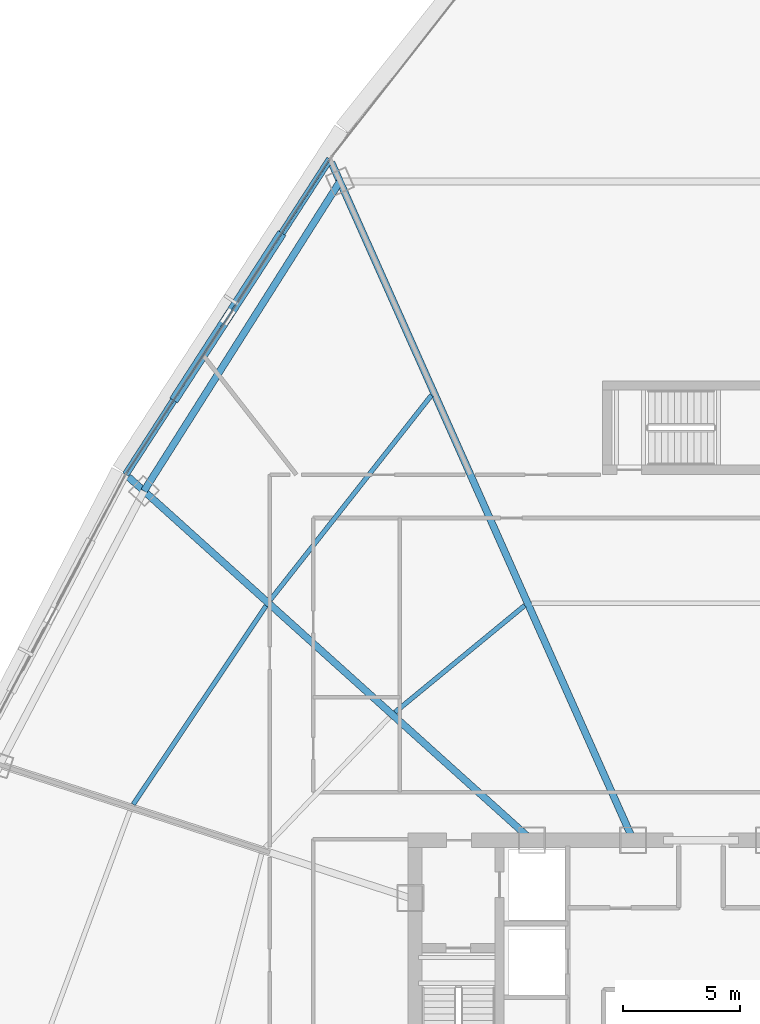
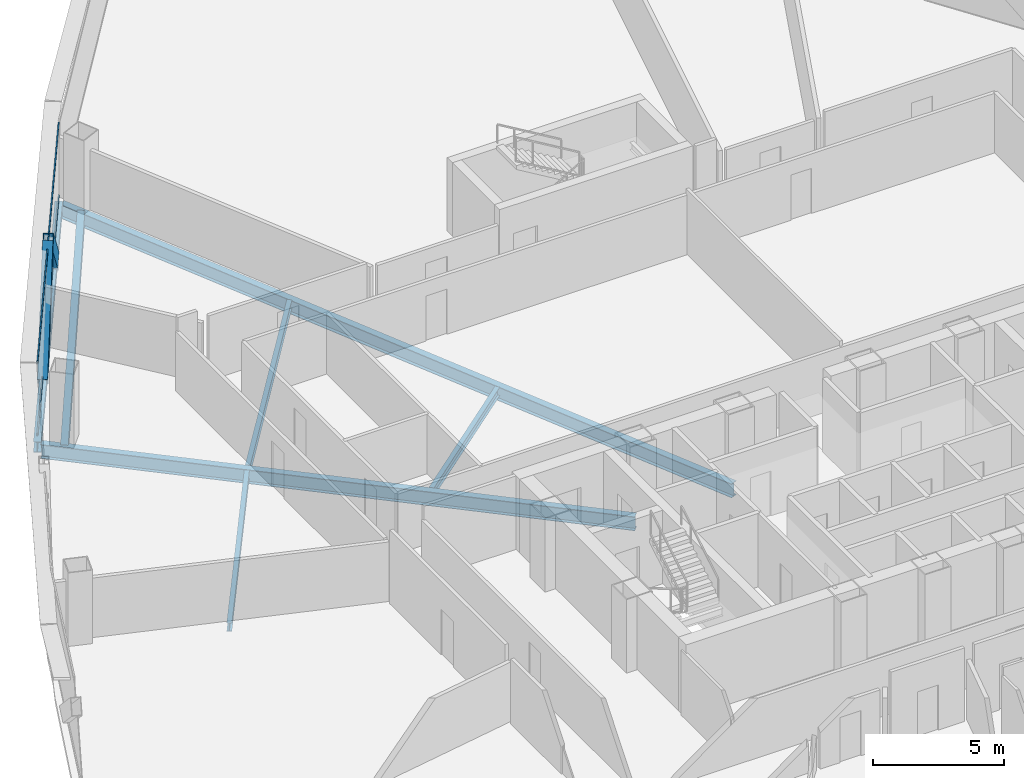
# One storey, part 17 of 39: 7 beams, 4 members, 1 element without a shape of its own.
"""IFC4 building model written with IfcOpenShell, lengths in metres."""

from ifc_helpers import new_model, si_unit, direction, frame, origin, origin_2d, place, context, subcontext, project, spatial, hollow_rectangle, i_section, extrude, source, transform, mapped, material, layer, layer_set, material_profile, profile_set, type_object, element, aggregate, save


model = new_model("IFC4")

# Units and contexts
model_context = context("Model", 3, precision=1e-05, world=origin(), true_north=direction((0.0, 1.0)))
body_context = subcontext(model_context, "Body", "Model", "MODEL_VIEW")
ifc_project = project(units=[si_unit("LENGTHUNIT", "METRE"), si_unit("AREAUNIT", "SQUARE_METRE"), si_unit("VOLUMEUNIT", "CUBIC_METRE"), si_unit("PLANEANGLEUNIT", "RADIAN"), si_unit("MASSUNIT", "GRAM", prefix="KILO"), si_unit("THERMODYNAMICTEMPERATUREUNIT", "KELVIN"), si_unit("POWERUNIT", "WATT")], contexts=[model_context])

# Site, building, storey
site_placement = place(None, origin())
site = spatial("IfcSite", under=ifc_project, at=site_placement, CompositionType="ELEMENT")
building_placement = place(site_placement, origin())
building = spatial("IfcBuilding", under=site, at=building_placement, Name="Yunzhuo Pagoda Commons", CompositionType="ELEMENT")
storey_placement = place(building_placement, frame((0.0, 0.0, 162.949951171875)))
storey = spatial("IfcBuildingStorey", under=building, at=storey_placement, Name="L41", CompositionType="ELEMENT", Elevation=162.949951171875)

# Beams
ifc_material_1 = material(Name="Structural steel Q355B", Category="steel")
ifc_material_profile_1 = material_profile(ifc_material_1, i_section(OverallWidth=0.199951171875, OverallDepth=0.39990234375, WebThickness=0.008056640625, FlangeThickness=0.012939453125, at=origin_2d()), Name="Structural steel Q355B")
ifc_profile_set_1 = profile_set([ifc_material_profile_1], Name="Structural steel Q355B")
beam_type_1 = type_object("IfcBeamType", Name="B-JS1 Joist HN 400x200x8x13", PredefinedType="JOIST", material=ifc_profile_set_1)
shared_shape_1 = source(origin(), body_context, "Body", "SweptSolid", [
    extrude(i_section(OverallWidth=0.199951171875, OverallDepth=0.39990234375, WebThickness=0.008056640625, FlangeThickness=0.012939453125, at=origin_2d()), origin(), (0.0, 0.0, 1.0), 10.186767578125),
])
beam_1_placement = place(storey_placement, frame((29.440673828125, 50.19921875, -0.4599609375), z_axis=(-0.555872145938, -0.831267801235, 0.0), x_axis=(0.831267801235, -0.555872145938, 0.0)))
element("IfcBeam", 1, at=beam_1_placement, inside=storey, type_object=beam_type_1, Name="L41 composite ring joist 2.10", PredefinedType="JOIST", context=body_context, shape_type="MappedRepresentation", body=[
    mapped(shared_shape_1, transform((0.0, 0.0, 0.0), scale=1.0)),
])
ifc_material_profile_2 = material_profile(ifc_material_1, i_section(OverallWidth=0.300048828125, OverallDepth=0.64990234375, WebThickness=0.012939453125, FlangeThickness=0.02197265625, at=origin_2d()), Name="Structural steel Q355B")
ifc_profile_set_2 = profile_set([ifc_material_profile_2], Name="Structural steel Q355B")
beam_type_2 = type_object("IfcBeamType", Name="B-RG2 Beam HN 650x300x13x22", PredefinedType="BEAM", material=ifc_profile_set_2)
shared_shape_2 = source(origin(), body_context, "Body", "SweptSolid", [
    extrude(i_section(OverallWidth=0.300048828125, OverallDepth=0.64990234375, WebThickness=0.012939453125, FlangeThickness=0.02197265625, at=origin_2d()), origin(), (0.0, 0.0, 1.0), 15.627685546875),
])
beam_2_placement = place(storey_placement, frame((32.593994140625, 68.302734375, -0.5849609375), z_axis=(-0.534952471728, -0.844882153316, 0.0), x_axis=(0.844882153316, -0.534952471728, 0.0)))
element("IfcBeam", 2, at=beam_2_placement, inside=storey, type_object=beam_type_2, Name="L41 column-ring beam 9", PredefinedType="BEAM", context=body_context, shape_type="MappedRepresentation", body=[
    mapped(shared_shape_2, transform((0.0, 0.0, 0.0), scale=1.0)),
])
shared_shape_3 = source(origin(), body_context, "Body", "SweptSolid", [
    extrude(i_section(OverallWidth=0.199951171875, OverallDepth=0.39990234375, WebThickness=0.008056640625, FlangeThickness=0.012939453125, at=origin_2d()), origin(), (0.0, 0.0, 1.0), 7.163818359375),
])
beam_3_placement = place(storey_placement, frame((40.47900390625, 50.21630859375, -0.4599609375), z_axis=(-0.772234119563, -0.635338071095, 0.0), x_axis=(0.635338071095, -0.772234119563, 0.0)))
element("IfcBeam", 3, at=beam_3_placement, inside=storey, type_object=beam_type_1, Name="L41 composite ring joist 1.9", PredefinedType="JOIST", context=body_context, shape_type="MappedRepresentation", body=[
    mapped(shared_shape_3, transform((0.0, 0.0, 0.0), scale=1.0)),
])
shared_shape_4 = source(origin(), body_context, "Body", "SweptSolid", [
    extrude(i_section(OverallWidth=0.199951171875, OverallDepth=0.39990234375, WebThickness=0.008056640625, FlangeThickness=0.012939453125, at=origin_2d()), origin(), (0.0, 0.0, 1.0), 11.109375),
])
beam_4_placement = place(storey_placement, frame((36.49951171875, 59.18505859375, -0.4599609375), z_axis=(-0.618600596935, -0.785705607382, 0.0), x_axis=(0.785705607382, -0.618600596935, 0.0)))
element("IfcBeam", 4, at=beam_4_placement, inside=storey, type_object=beam_type_1, Name="L41 composite ring joist 2.9", PredefinedType="JOIST", context=body_context, shape_type="MappedRepresentation", body=[
    mapped(shared_shape_4, transform((0.0, 0.0, 0.0), scale=1.0)),
])
shared_shape_5 = source(origin(), body_context, "Body", "SweptSolid", [
    extrude(i_section(OverallWidth=0.300048828125, OverallDepth=0.64990234375, WebThickness=0.012939453125, FlangeThickness=0.02197265625, at=origin_2d()), origin(), (0.0, 0.0, 1.0), 23.161376953125),
])
beam_5_placement = place(storey_placement, frame((23.56884765625, 55.697998046875, -0.5849609375), z_axis=(0.743141604671, -0.669134183409, 0.0), x_axis=(0.669134183409, 0.743141604671, 0.0)))
element("IfcBeam", 5, at=beam_5_placement, inside=storey, type_object=beam_type_2, Name="L41 radial floor girder F3C2", PredefinedType="BEAM", context=body_context, shape_type="MappedRepresentation", body=[
    mapped(shared_shape_5, transform((0.0, 0.0, 0.0), scale=1.0)),
])
shared_shape_6 = source(origin(), body_context, "Body", "SweptSolid", [
    extrude(i_section(OverallWidth=0.300048828125, OverallDepth=0.64990234375, WebThickness=0.012939453125, FlangeThickness=0.02197265625, at=origin_2d()), origin(), (0.0, 0.0, 1.0), 31.6572265625),
])
beam_6_placement = place(storey_placement, frame((32.229736328125, 69.120361328125, -0.5849609375), z_axis=(0.406737289237, -0.913545169953, 0.0), x_axis=(0.913545169953, 0.406737289237, 0.0)))
element("IfcBeam", 6, at=beam_6_placement, inside=storey, type_object=beam_type_2, Name="L41 radial floor girder F3C1", PredefinedType="BEAM", context=body_context, shape_type="MappedRepresentation", body=[
    mapped(shared_shape_6, transform((0.0, 0.0, 0.0), scale=1.0)),
])
ifc_material_profile_3 = material_profile(ifc_material_1, i_section(OverallWidth=0.300048828125, OverallDepth=0.488037109375, WebThickness=0.010986328125, FlangeThickness=0.01806640625, at=origin_2d()), Name="Structural steel Q355B")
ifc_profile_set_3 = profile_set([ifc_material_profile_3], Name="Structural steel Q355B")
beam_type_3 = type_object("IfcBeamType", Name="B-SP1 Beam HM 488x300x11x18", PredefinedType="BEAM", material=ifc_profile_set_3)
shared_shape_7 = source(origin(), body_context, "Body", "SweptSolid", [
    extrude(i_section(OverallWidth=0.300048828125, OverallDepth=0.488037109375, WebThickness=0.010986328125, FlangeThickness=0.01806640625, at=origin_2d()), origin(), (0.0, 0.0, 1.0), 16.0341796875),
])
beam_7_placement = place(storey_placement, frame((32.166748046875, 69.261962890625, -0.50390625), z_axis=(-0.543409101482, -0.83946801513, 0.0), x_axis=(0.83946801513, -0.543409101482, 0.0)))
element("IfcBeam", 7, at=beam_7_placement, inside=storey, type_object=beam_type_3, Name="L41 facade edge spandrel beam F3.1", PredefinedType="BEAM", context=body_context, shape_type="MappedRepresentation", body=[
    mapped(shared_shape_7, transform((0.0, 0.0, 0.0), scale=1.0)),
])

# Members
ifc_material_profile_4 = material_profile(ifc_material_1, hollow_rectangle(XDim=0.39990234375, YDim=0.719970703125, WallThickness=0.02392578125, at=origin_2d()), Name="Structural steel Q355B")
ifc_profile_set_4 = profile_set([ifc_material_profile_4], Name="Structural steel Q355B")
member_type_1 = type_object("IfcMemberType", Name="M-DL2 Brace BOX 720x400x24", PredefinedType="BRACE", material=ifc_profile_set_4)
shared_shape_8 = source(origin(), body_context, "Body", "SweptSolid", [
    extrude(hollow_rectangle(XDim=0.39990234375, YDim=0.719970703125, WallThickness=0.02392578125, at=origin_2d()), origin(), (0.0, 0.0, 1.0), 5.441650390625),
])
member_1_placement = place(storey_placement, frame((25.6318359375, 59.166748046875, -0.260009765625), z_axis=(0.400325163899, 0.618366214729, 0.676286172881), x_axis=(-0.839442680853, 0.543448236324, 0.0)))
element("IfcMember", 8, at=member_1_placement, inside=storey, type_object=member_type_1, Name="L41 facade diamond brace F3.1R", PredefinedType="BRACE", context=body_context, shape_type="MappedRepresentation", body=[
    mapped(shared_shape_8, transform((0.0, 0.0, 0.0), scale=1.0)),
])
shared_shape_9 = source(origin(), body_context, "Body", "SweptSolid", [
    extrude(hollow_rectangle(XDim=0.39990234375, YDim=0.719970703125, WallThickness=0.02392578125, at=origin_2d()), origin(), (0.0, 0.0, 1.0), 5.44189453125),
])
member_2_placement = place(storey_placement, frame((29.988525390625, 65.89697265625, -0.260009765625), z_axis=(-0.400276383082, -0.618405028514, 0.676279555994), x_axis=(0.839488448366, -0.543377534556, 0.0)))
element("IfcMember", 9, at=member_2_placement, inside=storey, type_object=member_type_1, Name="L41 facade diamond brace F3.1L", PredefinedType="BRACE", context=body_context, shape_type="MappedRepresentation", body=[
    mapped(shared_shape_9, transform((0.0, 0.0, 0.0), scale=1.0)),
])

# Curtain wall, members
ifc_material_2 = material(Name="Anodized aluminium 6063-T6", Category="aluminium")
ifc_layer = layer(ifc_material_2, 0.14990234375)
ifc_layer_set = layer_set([ifc_layer], Name="Anodized aluminium 6063-T6")
curtain_wall_type = type_object("IfcCurtainWallType", Name="CW-MID Mid-Zone Ribbon Curtain Wall", PredefinedType="NOTDEFINED", material=ifc_layer_set)
curtain_wall_placement = place(storey_placement, origin())
curtain_wall = element("IfcCurtainWall", 10, at=curtain_wall_placement, inside=storey, type_object=curtain_wall_type, Name="L41 curtain wall CW-L41-F3B2", PredefinedType="NOTDEFINED")
ifc_material_profile_5 = material_profile(ifc_material_2, hollow_rectangle(XDim=0.054931640625, YDim=0.1298828125, WallThickness=0.00341796875, at=origin_2d()), Name="Anodized aluminium 6063-T6")
ifc_profile_set_5 = profile_set([ifc_material_profile_5], Name="Anodized aluminium 6063-T6")
member_type_2 = type_object("IfcMemberType", Name="CW-MID-T Transom RHS 130x55x3.5", PredefinedType="USERDEFINED", material=ifc_profile_set_5)
shared_shape_10 = source(origin(), body_context, "Body", "SweptSolid", [
    extrude(hollow_rectangle(XDim=0.054931640625, YDim=0.1298828125, WallThickness=0.00341796875, at=origin_2d()), origin(), (0.0, 0.0, 1.0), 15.914306640625),
])
member_3_placement = place(storey_placement, frame((32.13427734375, 69.21142578125, 0.027587890625), z_axis=(-0.543423646974, -0.839458599283, 0.0), x_axis=(0.839458599283, -0.543423646974, 0.0)))
member_3 = element("IfcMember", 11, at=member_3_placement, type_object=member_type_2, Name="CW transom 1.1", ObjectType="TRANSOM", PredefinedType="USERDEFINED", context=body_context, shape_type="MappedRepresentation", body=[
    mapped(shared_shape_10, transform((0.0, 0.0, 0.0), scale=1.0)),
])
member_4_placement = place(storey_placement, frame((32.13427734375, 69.21142578125, 3.392578125), z_axis=(-0.543423646974, -0.839458599283, 0.0), x_axis=(0.839458599283, -0.543423646974, 0.0)))
member_4 = element("IfcMember", 12, at=member_4_placement, type_object=member_type_2, Name="CW transom 1.2", ObjectType="TRANSOM", PredefinedType="USERDEFINED", context=body_context, shape_type="MappedRepresentation", body=[
    mapped(shared_shape_10, transform((0.0, 0.0, 0.0), scale=1.0)),
])
aggregate(curtain_wall, [member_3, member_4])

save(model, "model.ifc")
